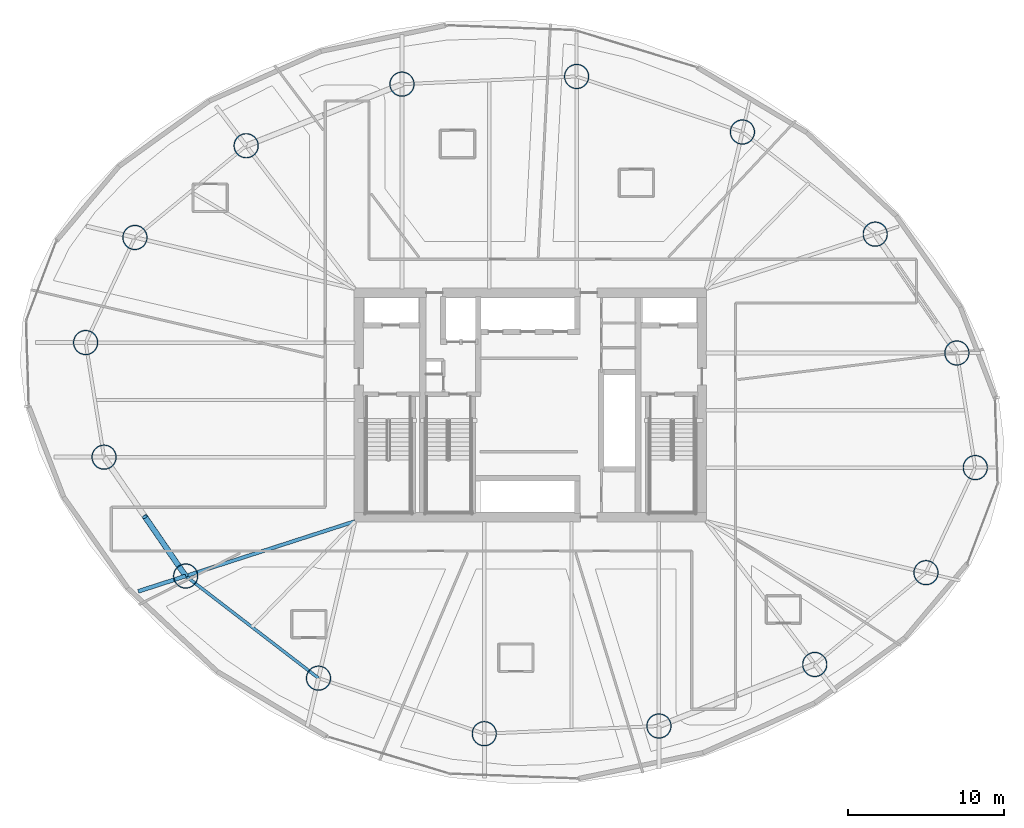
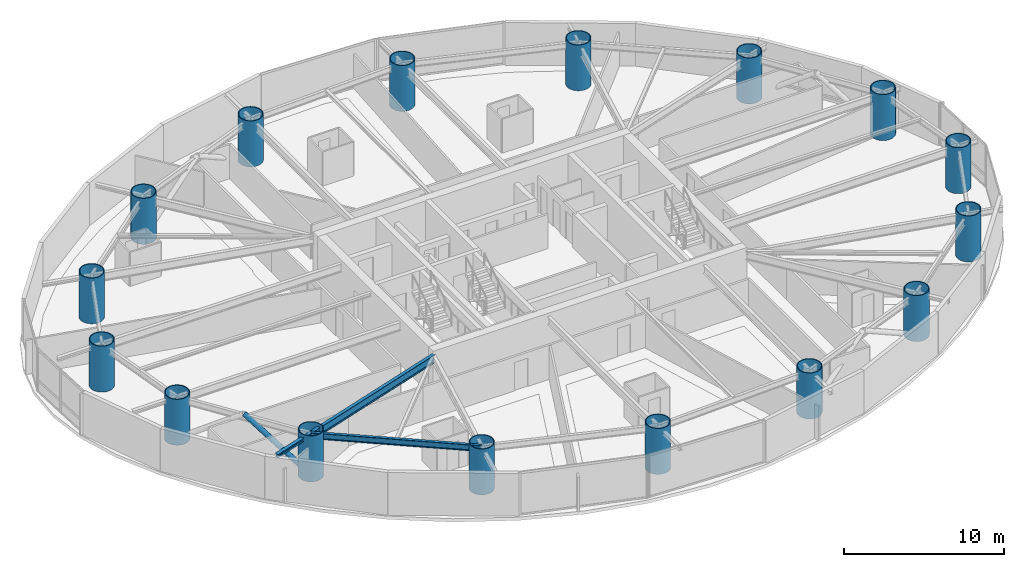
# One storey, part 1 of 27: 16 columns, 3 beams, 1 member.
"""IFC4 building model written with IfcOpenShell, lengths in metres."""

from ifc_helpers import new_model, si_unit, direction, frame, origin, origin_2d, place, context, subcontext, project, spatial, hollow_circle, i_section, extrude, material, material_profile, profile_set, type_object, element, save


model = new_model("IFC4")

# Units and contexts
model_context = context("Model", 3, precision=1e-05, world=origin(), true_north=direction((0.0, 1.0)))
body_context = subcontext(model_context, "Body", "Model", "MODEL_VIEW")
ifc_project = project(units=[si_unit("LENGTHUNIT", "METRE"), si_unit("AREAUNIT", "SQUARE_METRE"), si_unit("VOLUMEUNIT", "CUBIC_METRE"), si_unit("PLANEANGLEUNIT", "RADIAN"), si_unit("MASSUNIT", "GRAM", prefix="KILO")], contexts=[model_context])

# Site, building, storey
site_placement = place(None, origin())
site = spatial("IfcSite", under=ifc_project, at=site_placement, CompositionType="ELEMENT")
building_placement = place(site_placement, origin())
building = spatial("IfcBuilding", under=site, at=building_placement, Name="Bramvorn Convention Spire", CompositionType="ELEMENT")
storey_placement = place(building_placement, frame((0.0, 0.0, 72.89990234375)))
storey = spatial("IfcBuildingStorey", under=building, at=storey_placement, Name="L16", CompositionType="ELEMENT", Elevation=72.89990234375)

# Columns
ifc_material = material(Name="Steel CSA G40.21 Grade 350 (350W)", Category="steel")
ifc_material_profile_1 = material_profile(ifc_material, hollow_circle(Radius=0.800048828125, WallThickness=0.06005859375, at=origin_2d()))
ifc_profile_set_1 = profile_set([ifc_material_profile_1], Name="Steel CSA G40.21 Grade 350 (350W) - CFT1600X60")
column_type = type_object("IfcColumnType", Name="COL-CFT1600X60", PredefinedType="COLUMN", material=ifc_profile_set_1)
for number, where, z_axis, x_axis, name in (
    (1, (66.519775390625, 21.99169921875, 0.0), (0.0, 0.0, 1.0), (1.0, 0.0, 0.0), "L16 composite CFT mega-column MC01"),
    (2, (65.338623046875, 29.340087890625, 0.0), (0.0, 0.0, 1.0), (1.0, 0.0, 0.0), "L16 composite CFT mega-column MC02"),
    (3, (60.105224609375, 36.960205078125, 0.0), (0.0, 0.0, 1.0), (1.0, 0.0, 0.0), "L16 composite CFT mega-column MC03"),
    (4, (51.59033203125, 43.509033203125, 0.0), (0.0, 0.0, 1.0), (1.0, 0.0, 0.0), "L16 composite CFT mega-column MC04"),
    (5, (40.9609375, 47.06884765625, 0.0), (0.0, 0.0, 1.0), (1.0, 0.0, 0.0), "L16 composite CFT mega-column MC05"),
    (6, (29.76220703125, 46.57666015625, 0.0), (0.0, 0.0, 1.0), (1.0, 0.0, 0.0), "L16 composite CFT mega-column MC06"),
    (7, (19.772216796875, 42.628662109375, 0.0), (0.0, 0.0, 1.0), (1.0, 0.0, 0.0), "L16 composite CFT mega-column MC07"),
    (8, (12.64111328125, 36.746337890625, 0.0), (0.0, 0.0, 1.0), (1.0, 0.0, 0.0), "L16 composite CFT mega-column MC08"),
    (9, (9.480224609375, 30.00830078125, 0.0), (0.0, 0.0, 1.0), (1.0, 0.0, 0.0), "L16 composite CFT mega-column MC09"),
    (10, (10.661376953125, 22.659912109375, 0.0), (0.0, 0.0, 1.0), (1.0, 0.0, 0.0), "L16 composite CFT mega-column MC10"),
    (11, (15.894775390625, 15.039794921875, 0.0), (0.0, 0.0, 1.0), (1.0, 0.0, 0.0), "L16 composite CFT mega-column MC11"),
    (12, (24.40966796875, 8.490966796875, 0.0), (0.0, 0.0, 1.0), (1.0, 0.0, 0.0), "L16 composite CFT mega-column MC12"),
    (13, (35.0390625, 4.93115234375, 0.0), (0.0, 0.0, 1.0), (1.0, 0.0, 0.0), "L16 composite CFT mega-column MC13"),
    (14, (46.23779296875, 5.42333984375, 0.0), (0.0, 0.0, 1.0), (1.0, 0.0, 0.0), "L16 composite CFT mega-column MC14"),
    (15, (56.227783203125, 9.371337890625, 0.0), (0.0, 0.0, 1.0), (1.0, 0.0, 0.0), "L16 composite CFT mega-column MC15"),
    (16, (63.35888671875, 15.253662109375, 0.0), (0.0, 0.0, 1.0), (1.0, 0.0, 0.0), "L16 composite CFT mega-column MC16"),
):
    element("IfcColumn", number, at=place(storey_placement, frame(where, z_axis=z_axis, x_axis=x_axis)), inside=storey, type_object=column_type, Name=name, PredefinedType="COLUMN", context=body_context, shape_type="SweptSolid", body=[
        extrude(hollow_circle(Radius=0.800048828125, WallThickness=0.06005859375, at=origin_2d()), origin(), (0.0, 0.0, 1.0), 3.5),
    ])

# Beams
ifc_material_profile_2 = material_profile(ifc_material, i_section(OverallWidth=0.25390625, OverallDepth=0.2529296875, WebThickness=0.008544921875, FlangeThickness=0.01416015625, FilletRadius=0.011962890625, at=origin_2d()))
ifc_profile_set_2 = profile_set([ifc_material_profile_2], Name="Steel CSA G40.21 Grade 350 (350W) - W250X73")
beam_type_1 = type_object("IfcBeamType", Name="BM-W250X73", PredefinedType="BEAM", material=ifc_profile_set_2)
beam_1_placement = place(storey_placement, frame((15.894775390625, 15.039794921875, 3.108642578125), z_axis=(-0.951483286173, -0.307700432454, 0.0), x_axis=(0.307700432454, -0.951483286173, 0.0)))
element("IfcBeam", 17, at=beam_1_placement, inside=storey, type_object=beam_type_1, Name="L16 slab-edge cantilever tip beam MC11", PredefinedType="BEAM", context=body_context, shape_type="SweptSolid", body=[
    extrude(i_section(OverallWidth=0.25390625, OverallDepth=0.2529296875, WebThickness=0.008544921875, FlangeThickness=0.01416015625, FilletRadius=0.011962890625, at=origin_2d()), origin(), (0.0, 0.0, 1.0), 3.199951171875),
])
ifc_material_profile_3 = material_profile(ifc_material, i_section(OverallWidth=0.194091796875, OverallDepth=0.468994140625, WebThickness=0.0126953125, FlangeThickness=0.0205078125, FilletRadius=0.01806640625, at=origin_2d()))
ifc_profile_set_3 = profile_set([ifc_material_profile_3], Name="Steel CSA G40.21 Grade 350 (350W) - W460X106")
beam_type_2 = type_object("IfcBeamType", Name="BM-W460X106", PredefinedType="SPANDREL", material=ifc_profile_set_3)
beam_2_placement = place(storey_placement, frame((15.894775390625, 15.039794921875, 3.015625), z_axis=(0.792672990445, -0.609647053809, 0.0), x_axis=(0.609647053809, 0.792672990445, 0.0)))
element("IfcBeam", 18, at=beam_2_placement, inside=storey, type_object=beam_type_2, Name="L16 mega-column ring beam 11", PredefinedType="SPANDREL", context=body_context, shape_type="SweptSolid", body=[
    extrude(i_section(OverallWidth=0.194091796875, OverallDepth=0.468994140625, WebThickness=0.0126953125, FlangeThickness=0.0205078125, FilletRadius=0.01806640625, at=origin_2d()), origin(), (0.0, 0.0, 1.0), 10.741943359375),
])
ifc_material_profile_4 = material_profile(ifc_material, i_section(OverallWidth=0.22998046875, OverallDepth=0.616943359375, WebThickness=0.01318359375, FlangeThickness=0.022216796875, FilletRadius=0.02001953125, at=origin_2d()))
ifc_profile_set_4 = profile_set([ifc_material_profile_4], Name="Steel CSA G40.21 Grade 350 (350W) - W610X140")
beam_type_3 = type_object("IfcBeamType", Name="BM-W610X140", PredefinedType="BEAM", material=ifc_profile_set_4)
beam_3_placement = place(storey_placement, frame((26.75, 18.550048828125, 2.941650390625), z_axis=(-0.951488933275, -0.307682969719, 0.0), x_axis=(0.307682969719, -0.951488933275, 0.0)))
element("IfcBeam", 19, at=beam_3_placement, inside=storey, type_object=beam_type_3, Name="L16 radial floor girder MC11", PredefinedType="BEAM", context=body_context, shape_type="SweptSolid", body=[
    extrude(i_section(OverallWidth=0.22998046875, OverallDepth=0.616943359375, WebThickness=0.01318359375, FlangeThickness=0.022216796875, FilletRadius=0.02001953125, at=origin_2d()), origin(), (0.0, 0.0, 1.0), 11.40869140625),
])

# Member
ifc_material_profile_5 = material_profile(ifc_material, hollow_circle(Radius=0.177734375, WallThickness=0.015869140625, at=origin_2d()))
ifc_profile_set_5 = profile_set([ifc_material_profile_5], Name="Steel CSA G40.21 Grade 350 (350W) - CHS356X16")
member_type = type_object("IfcMemberType", Name="MBR-CHS356X16", PredefinedType="BRACE", material=ifc_profile_set_5)
member_placement = place(storey_placement, frame((15.894775390625, 15.039794921875, 0.0), z_axis=(-0.463106048325, 0.674307985647, 0.575188254833), x_axis=(-0.824316157743, -0.566129730789, 0.0)))
element("IfcMember", 20, at=member_placement, inside=storey, type_object=member_type, Name="L16 perimeter Gothic lancet brace 10B", PredefinedType="BRACE", context=body_context, shape_type="SweptSolid", body=[
    extrude(hollow_circle(Radius=0.177734375, WallThickness=0.015869140625, at=origin_2d()), origin(), (0.0, 0.0, 1.0), 5.650390625),
])

save(model, "model.ifc")
